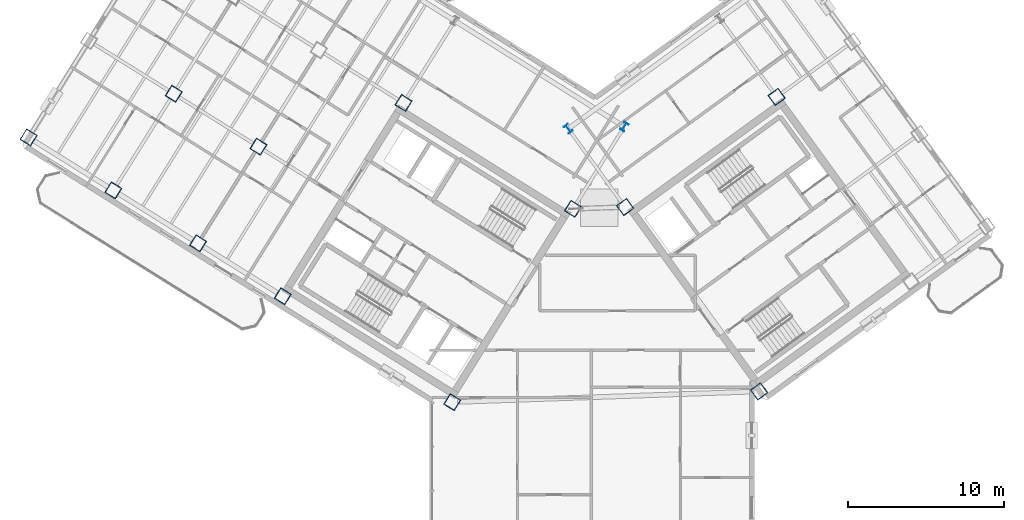
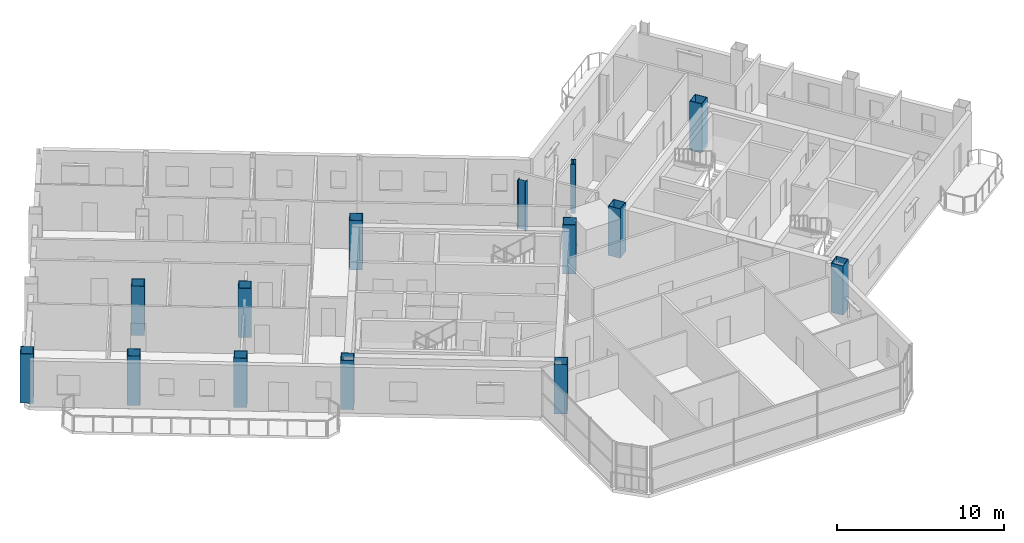
# One storey, part 1 of 23: 14 columns.
"""IFC4 building model written with IfcOpenShell, lengths in metres."""

from ifc_helpers import new_model, si_unit, direction, frame, origin, origin_2d, place, context, subcontext, project, spatial, hollow_rectangle, i_section, extrude, source, transform, mapped, material, material_profile, profile_set, type_object, element, save


model = new_model("IFC4")

# Units and contexts
model_context = context("Model", 3, precision=1e-05, world=origin(), true_north=direction((0.0, 1.0)))
body_context = subcontext(model_context, "Body", "Model", "MODEL_VIEW")
ifc_project = project(units=[si_unit("LENGTHUNIT", "METRE"), si_unit("AREAUNIT", "SQUARE_METRE"), si_unit("VOLUMEUNIT", "CUBIC_METRE"), si_unit("PLANEANGLEUNIT", "RADIAN"), si_unit("MASSUNIT", "GRAM", prefix="KILO")], contexts=[model_context])

# Site, building, storey
site_placement = place(None, origin())
site = spatial("IfcSite", under=ifc_project, at=site_placement, CompositionType="ELEMENT")
building_placement = place(site_placement, origin())
building = spatial("IfcBuilding", under=site, at=building_placement, Name="Tlacorven Tower", CompositionType="ELEMENT")
storey_placement = place(building_placement, frame((0.0, 0.0, 218.39990234375)))
storey = spatial("IfcBuildingStorey", under=building, at=storey_placement, Name="L55", CompositionType="ELEMENT", Elevation=218.39990234375)

# Columns
ifc_material = material(Name="Steel S460M", Category="steel")
ifc_material_profile_1 = material_profile(ifc_material, i_section(OverallWidth=0.300048828125, OverallDepth=0.550048828125, WebThickness=0.014892578125, FlangeThickness=0.029052734375, at=origin_2d()), Name="HEB 550")
ifc_profile_set_1 = profile_set([ifc_material_profile_1], Name="Steel S460M")
column_type_1 = type_object("IfcColumnType", Name="COL-TWR-P2", PredefinedType="COLUMN", material=ifc_profile_set_1)
shared_shape_1 = source(origin(), body_context, "Body", "SweptSolid", [
    extrude(i_section(OverallWidth=0.300048828125, OverallDepth=0.550048828125, WebThickness=0.014892578125, FlangeThickness=0.029052734375, at=origin_2d()), origin(), (0.0, 0.0, 1.0), 3.60009765625),
])
for number, where, z_axis, x_axis, name in (
    (1, (44.068359375, 29.726318359375, 0.0), (0.0, 0.0, 1.0), (-0.848048096156, 0.529919264233, 0.0), "L55 column COL-L55-W1-1"),
    (2, (40.4794921875, 29.60107421875, 0.0), (0.0, 0.0, 1.0), (0.809016994375, 0.587785252292, 0.0), "L55 column COL-L55-E1-4"),
):
    element("IfcColumn", number, at=place(storey_placement, frame(where, z_axis=z_axis, x_axis=x_axis)), inside=storey, type_object=column_type_1, Name=name, PredefinedType="COLUMN", context=body_context, shape_type="MappedRepresentation", body=[
        mapped(shared_shape_1, transform((0.0, 0.0, 0.0), scale=1.0)),
    ])
ifc_material_profile_2 = material_profile(ifc_material, hollow_rectangle(XDim=0.800048828125, YDim=0.800048828125, WallThickness=0.031982421875, at=origin_2d()), Name="BOX 800X800X32")
ifc_profile_set_2 = profile_set([ifc_material_profile_2], Name="Steel S460M")
column_type_2 = type_object("IfcColumnType", Name="COL-TWR-S3", PredefinedType="COLUMN", material=ifc_profile_set_2)
shared_shape_2 = source(origin(), body_context, "Body", "SweptSolid", [
    extrude(hollow_rectangle(XDim=0.800048828125, YDim=0.800048828125, WallThickness=0.031982421875, at=origin_2d()), origin(), (0.0, 0.0, 1.0), 3.60009765625),
])
for number, where, z_axis, x_axis, name in (
    (3, (40.782958984375, 24.468505859375, 0.0), (0.0, 0.0, 1.0), (-0.848048096156, 0.529919264233, 0.0), "L55 column COL-L55-W1-2"),
    (4, (33.046142578125, 12.0869140625, 0.0), (0.0, 0.0, 1.0), (-0.848048096156, 0.529919264233, 0.0), "L55 column COL-L55-W1-4"),
    (5, (29.927978515625, 31.25146484375, 0.0), (0.0, 0.0, 1.0), (-0.848048096156, 0.529919264233, 0.0), "L55 column COL-L55-W3-2"),
    (6, (22.191162109375, 18.869873046875, 0.0), (0.0, 0.0, 1.0), (-0.848048096156, 0.529919264233, 0.0), "L55 column COL-L55-W3-4"),
    (7, (20.632080078125, 28.4521484375, 0.0), (0.0, 0.0, 1.0), (-0.848048096156, 0.529919264233, 0.0), "L55 column COL-L55-W4-3"),
    (8, (16.763671875, 22.26123046875, 0.0), (0.0, 0.0, 1.0), (-0.848048096156, 0.529919264233, 0.0), "L55 column COL-L55-W4-4"),
    (9, (15.20458984375, 31.843505859375, 0.0), (0.0, 0.0, 1.0), (-0.848048096156, 0.529919264233, 0.0), "L55 column COL-L55-W5-3"),
    (10, (11.336181640625, 25.65283203125, 0.0), (0.0, 0.0, 1.0), (-0.848048096156, 0.529919264233, 0.0), "L55 column COL-L55-W5-4"),
    (11, (5.90869140625, 29.044189453125, 0.0), (0.0, 0.0, 1.0), (-0.848048096156, 0.529919264233, 0.0), "L55 column COL-L55-W6-4"),
    (12, (52.705322265625, 12.7734375, 0.0), (0.0, 0.0, 1.0), (0.809016994375, 0.587785252292, 0.0), "L55 column COL-L55-E1-1"),
    (13, (44.123779296875, 24.5849609375, 0.0), (0.0, 0.0, 1.0), (0.809016994375, 0.587785252292, 0.0), "L55 column COL-L55-E1-3"),
    (14, (53.83203125, 31.638427734375, 0.0), (0.0, 0.0, 1.0), (0.809016994375, 0.587785252292, 0.0), "L55 column COL-L55-E3-3"),
):
    element("IfcColumn", number, at=place(storey_placement, frame(where, z_axis=z_axis, x_axis=x_axis)), inside=storey, type_object=column_type_2, Name=name, PredefinedType="COLUMN", context=body_context, shape_type="MappedRepresentation", body=[
        mapped(shared_shape_2, transform((0.0, 0.0, 0.0), scale=1.0)),
    ])

save(model, "model.ifc")
